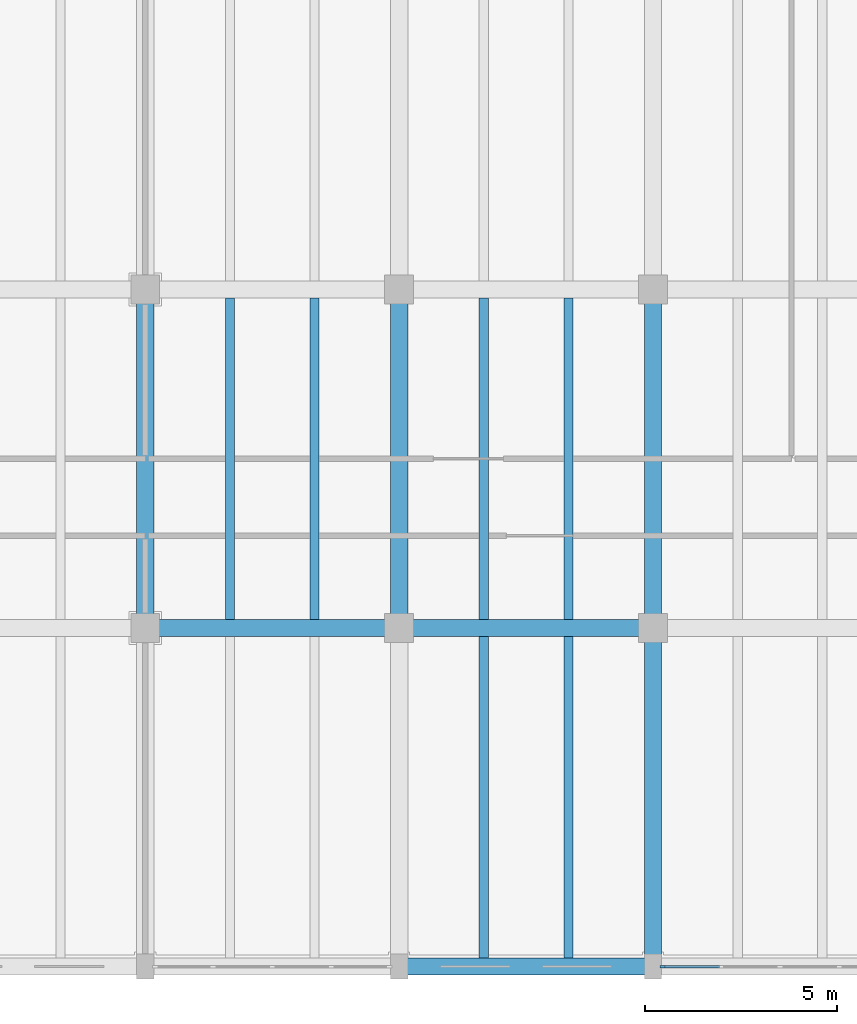
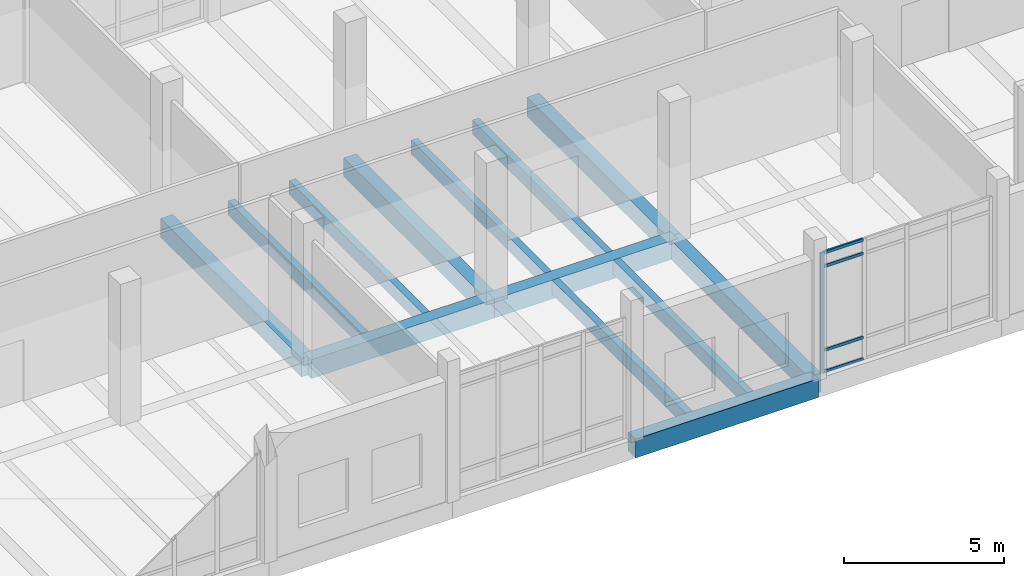
# One storey, part 23 of 72: 13 beams, 5 members, 1 element without a shape of its own.
"""IFC4 building model written with IfcOpenShell, lengths in metres."""

from ifc_helpers import new_model, si_unit, direction, frame, origin, origin_2d, place, context, subcontext, project, spatial, rectangle, extrude, material, material_profile, profile_set, type_object, element, aggregate, save


model = new_model("IFC4")

# Units and contexts
model_context = context("Model", 3, precision=1e-05, world=origin(), true_north=direction((0.0, 1.0)))
body_context = subcontext(model_context, "Body", "Model", "MODEL_VIEW")
ifc_project = project(units=[si_unit("LENGTHUNIT", "METRE"), si_unit("AREAUNIT", "SQUARE_METRE"), si_unit("VOLUMEUNIT", "CUBIC_METRE"), si_unit("PLANEANGLEUNIT", "RADIAN"), si_unit("MASSUNIT", "GRAM", prefix="KILO")], contexts=[model_context])

# Site, building, storey
site_placement = place(None, origin())
site = spatial("IfcSite", under=ifc_project, at=site_placement, CompositionType="ELEMENT")
building_placement = place(site_placement, origin())
building = spatial("IfcBuilding", under=site, at=building_placement, Name="Dornvale Research Institute", CompositionType="ELEMENT")
storey_placement = place(building_placement, origin())
storey = spatial("IfcBuildingStorey", under=building, at=storey_placement, Name="L00", CompositionType="ELEMENT", Elevation=0.0)

# Beams
ifc_material_1 = material(Name="Concrete f'c 45 MPa (C35/45)", Category="concrete")
ifc_material_profile_1 = material_profile(ifc_material_1, rectangle(XDim=0.449951171875, YDim=0.715087890625, at=origin_2d()), Name="RC 450x715")
ifc_profile_set_1 = profile_set([ifc_material_profile_1], Name="Concrete f'c 45 MPa (C35/45)")
beam_type_1 = type_object("IfcBeamType", Name="Beam_RC450x715_Lab", PredefinedType="BEAM", material=ifc_profile_set_1)
beam_1_placement = place(storey_placement, frame((151.800048828125, 0.0, -0.357421875), z_axis=(1.0, 0.0, 0.0), x_axis=(0.0, 1.0, 0.0)))
element("IfcBeam", 1, at=beam_1_placement, inside=storey, type_object=beam_type_1, Name="L00 primary girder #139", PredefinedType="BEAM", context=body_context, shape_type="SweptSolid", body=[
    extrude(rectangle(XDim=0.449951171875, YDim=0.715087890625, at=origin_2d()), origin(), (0.0, 0.0, 1.0), 6.599853515625),
])
beam_2_placement = place(storey_placement, frame((145.199951171875, 8.800048828125, -0.357421875), z_axis=(1.0, 0.0, 0.0), x_axis=(0.0, 1.0, 0.0)))
element("IfcBeam", 2, at=beam_2_placement, inside=storey, type_object=beam_type_1, Name="L00 primary girder #150", PredefinedType="BEAM", context=body_context, shape_type="SweptSolid", body=[
    extrude(rectangle(XDim=0.449951171875, YDim=0.715087890625, at=origin_2d()), origin(), (0.0, 0.0, 1.0), 6.60009765625),
])
beam_3_placement = place(storey_placement, frame((151.800048828125, 8.800048828125, -0.357421875), z_axis=(1.0, 0.0, 0.0), x_axis=(0.0, 1.0, 0.0)))
element("IfcBeam", 3, at=beam_3_placement, inside=storey, type_object=beam_type_1, Name="L00 primary girder #151", PredefinedType="BEAM", context=body_context, shape_type="SweptSolid", body=[
    extrude(rectangle(XDim=0.449951171875, YDim=0.715087890625, at=origin_2d()), origin(), (0.0, 0.0, 1.0), 6.599853515625),
])
for number, where, z_axis, x_axis, name in (
    (4, (145.199951171875, 8.800048828125, -0.357421875), (0.0, 1.0, 0.0), (-1.0, 0.0, 0.0), "L00 transverse girder #200"),
    (5, (151.800048828125, 8.800048828125, -0.357421875), (0.0, 1.0, 0.0), (-1.0, 0.0, 0.0), "L00 transverse girder #203"),
    (6, (158.39990234375, 0.0, -0.357421875), (0.0, 1.0, 0.0), (-1.0, 0.0, 0.0), "L00 transverse girder #205"),
    (7, (158.39990234375, 8.800048828125, -0.357421875), (0.0, 1.0, 0.0), (-1.0, 0.0, 0.0), "L00 transverse girder #206"),
):
    element("IfcBeam", number, at=place(storey_placement, frame(where, z_axis=z_axis, x_axis=x_axis)), inside=storey, type_object=beam_type_1, Name=name, PredefinedType="BEAM", context=body_context, shape_type="SweptSolid", body=[
        extrude(rectangle(XDim=0.449951171875, YDim=0.715087890625, at=origin_2d()), origin(), (0.0, 0.0, 1.0), 8.800048828125),
    ])
ifc_material_2 = material(Name="Concrete f'c 45 MPa (C35/45)", Category="concrete")
ifc_material_profile_2 = material_profile(ifc_material_2, rectangle(XDim=0.239990234375, YDim=0.534912109375, at=origin_2d()), Name="RC 240x535")
ifc_profile_set_2 = profile_set([ifc_material_profile_2], Name="Concrete f'c 45 MPa (C35/45)")
beam_type_2 = type_object("IfcBeamType", Name="Joist_RC240x535_Waffle", PredefinedType="JOIST", material=ifc_profile_set_2)
for number, where, z_axis, x_axis, name in (
    (8, (147.39990234375, 9.02490234375, -0.267578125), (0.0, 1.0, 0.0), (-1.0, 0.0, 0.0), "L00 laboratory waffle joist #115"),
    (9, (149.60009765625, 9.02490234375, -0.267578125), (0.0, 1.0, 0.0), (-1.0, 0.0, 0.0), "L00 laboratory waffle joist #116"),
):
    element("IfcBeam", number, at=place(storey_placement, frame(where, z_axis=z_axis, x_axis=x_axis)), inside=storey, type_object=beam_type_2, Name=name, PredefinedType="JOIST", context=body_context, shape_type="SweptSolid", body=[
        extrude(rectangle(XDim=0.239990234375, YDim=0.534912109375, at=origin_2d()), origin(), (0.0, 0.0, 1.0), 8.35009765625),
    ])
for number, where, z_axis, x_axis, name in (
    (10, (154.0, 0.22509765625, -0.267578125), (0.0, 1.0, 0.0), (-1.0, 0.0, 0.0), "L00 laboratory waffle joist #119"),
    (11, (156.199951171875, 0.22509765625, -0.267578125), (0.0, 1.0, 0.0), (-1.0, 0.0, 0.0), "L00 laboratory waffle joist #120"),
):
    element("IfcBeam", number, at=place(storey_placement, frame(where, z_axis=z_axis, x_axis=x_axis)), inside=storey, type_object=beam_type_2, Name=name, PredefinedType="JOIST", context=body_context, shape_type="SweptSolid", body=[
        extrude(rectangle(XDim=0.239990234375, YDim=0.534912109375, at=origin_2d()), origin(), (0.0, 0.0, 1.0), 8.349853515625),
    ])
for number, where, z_axis, x_axis, name in (
    (12, (154.0, 9.02490234375, -0.267578125), (0.0, 1.0, 0.0), (-1.0, 0.0, 0.0), "L00 laboratory waffle joist #121"),
    (13, (156.199951171875, 9.02490234375, -0.267578125), (0.0, 1.0, 0.0), (-1.0, 0.0, 0.0), "L00 laboratory waffle joist #122"),
):
    element("IfcBeam", number, at=place(storey_placement, frame(where, z_axis=z_axis, x_axis=x_axis)), inside=storey, type_object=beam_type_2, Name=name, PredefinedType="JOIST", context=body_context, shape_type="SweptSolid", body=[
        extrude(rectangle(XDim=0.239990234375, YDim=0.534912109375, at=origin_2d()), origin(), (0.0, 0.0, 1.0), 8.35009765625),
    ])

# Curtain wall, members
ifc_material_3 = material(Name="Low-E Argon Double Insulating Glazing Unit", Category="glass")
curtain_wall_type = type_object("IfcCurtainWallType", Name="UnitisedCurtainWall_V3_6150x4600", PredefinedType="USERDEFINED", material=ifc_material_3)
curtain_wall_placement = place(storey_placement, origin())
curtain_wall = element("IfcCurtainWall", 14, at=curtain_wall_placement, inside=storey, type_object=curtain_wall_type, Name="L00 V3 unitised curtain wall CW-04 #26", ObjectType="UNITISED CURTAIN WALL", PredefinedType="USERDEFINED")
ifc_material_4 = material(Name="Anodized Aluminum AA 6063-T6 Thermally Broken Frame", Category="aluminium")
ifc_material_profile_3 = material_profile(ifc_material_4, rectangle(XDim=0.06494140625, YDim=0.14990234375, at=origin_2d()), Name="ALU MULLION 65x150")
ifc_profile_set_3 = profile_set([ifc_material_profile_3], Name="Anodized Aluminum AA 6063-T6 Thermally Broken Frame")
member_type_1 = type_object("IfcMemberType", Name="Mullion_CW_65x150", PredefinedType="MULLION", material=ifc_profile_set_3)
member_1_placement = place(storey_placement, frame((158.657470703125, 0.0, 0.0), z_axis=(0.0, 0.0, 1.0), x_axis=(0.0, -1.0, 0.0)))
member_1 = element("IfcMember", 15, at=member_1_placement, type_object=member_type_1, Name="CW-04 mullion 5", PredefinedType="MULLION", context=body_context, shape_type="SweptSolid", body=[
    extrude(rectangle(XDim=0.06494140625, YDim=0.14990234375, at=origin_2d()), origin(), (0.0, 0.0, 1.0), 4.60009765625),
])
ifc_material_5 = material(Name="Anodized Aluminum AA 6063-T6 Thermally Broken Frame", Category="aluminium")
ifc_material_profile_4 = material_profile(ifc_material_5, rectangle(XDim=0.06494140625, YDim=0.110107421875, at=origin_2d()), Name="ALU TRANSOM 65x110")
ifc_profile_set_4 = profile_set([ifc_material_profile_4], Name="Anodized Aluminum AA 6063-T6 Thermally Broken Frame")
member_type_2 = type_object("IfcMemberType", Name="Transom_CW_65x110", PredefinedType="USERDEFINED", material=ifc_profile_set_4)
member_2_placement = place(storey_placement, frame((160.1298828125, 0.0, 0.032470703125), z_axis=(-1.0, 0.0, 0.0), x_axis=(0.0, -1.0, 0.0)))
member_2 = element("IfcMember", 16, at=member_2_placement, type_object=member_type_2, Name="CW-04 transom 4.1", ObjectType="TRANSOM", PredefinedType="USERDEFINED", context=body_context, shape_type="SweptSolid", body=[
    extrude(rectangle(XDim=0.06494140625, YDim=0.110107421875, at=origin_2d()), origin(), (0.0, 0.0, 1.0), 1.43994140625),
])
member_3_placement = place(storey_placement, frame((160.1298828125, 0.0, 0.85009765625), z_axis=(-1.0, 0.0, 0.0), x_axis=(0.0, -1.0, 0.0)))
member_3 = element("IfcMember", 17, at=member_3_placement, type_object=member_type_2, Name="CW-04 transom 4.2", ObjectType="TRANSOM", PredefinedType="USERDEFINED", context=body_context, shape_type="SweptSolid", body=[
    extrude(rectangle(XDim=0.06494140625, YDim=0.110107421875, at=origin_2d()), origin(), (0.0, 0.0, 1.0), 1.43994140625),
])
member_4_placement = place(storey_placement, frame((160.1298828125, 0.0, 4.050048828125), z_axis=(-1.0, 0.0, 0.0), x_axis=(0.0, -1.0, 0.0)))
member_4 = element("IfcMember", 18, at=member_4_placement, type_object=member_type_2, Name="CW-04 transom 4.3", ObjectType="TRANSOM", PredefinedType="USERDEFINED", context=body_context, shape_type="SweptSolid", body=[
    extrude(rectangle(XDim=0.06494140625, YDim=0.110107421875, at=origin_2d()), origin(), (0.0, 0.0, 1.0), 1.43994140625),
])
member_5_placement = place(storey_placement, frame((160.1298828125, 0.0, 4.5673828125), z_axis=(-1.0, 0.0, 0.0), x_axis=(0.0, -1.0, 0.0)))
member_5 = element("IfcMember", 19, at=member_5_placement, type_object=member_type_2, Name="CW-04 transom 4.4", ObjectType="TRANSOM", PredefinedType="USERDEFINED", context=body_context, shape_type="SweptSolid", body=[
    extrude(rectangle(XDim=0.06494140625, YDim=0.110107421875, at=origin_2d()), origin(), (0.0, 0.0, 1.0), 1.43994140625),
])
aggregate(curtain_wall, [member_1, member_2, member_3, member_4, member_5])

save(model, "model.ifc")
